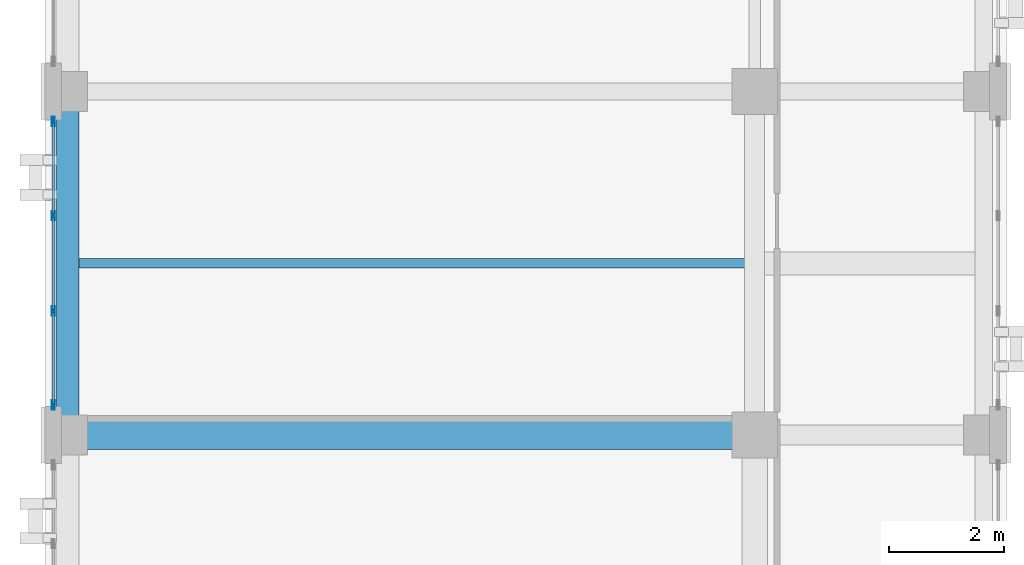
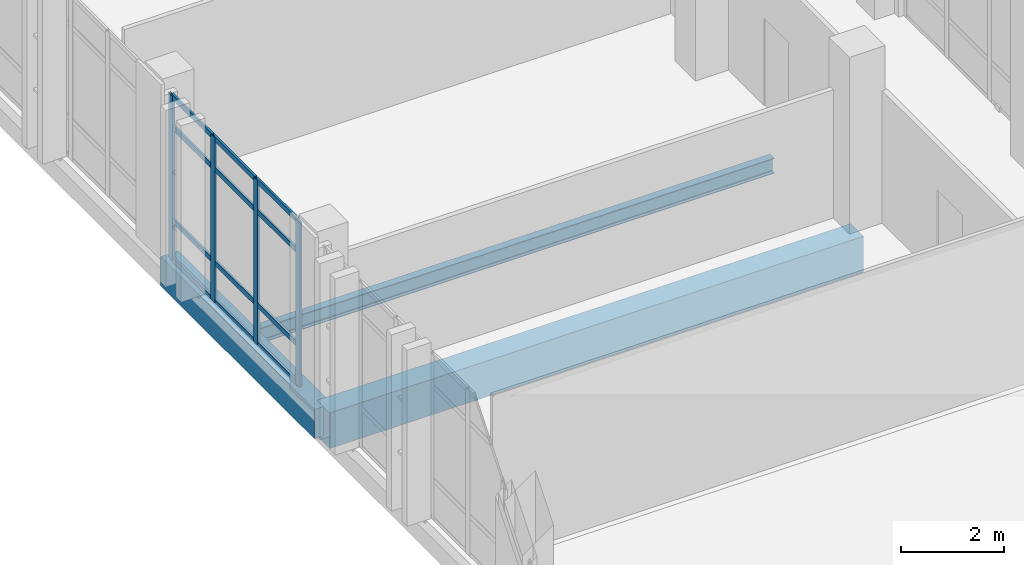
# One storey, part 68 of 165: 16 members, 3 beams, 1 element without a shape of its own.
"""IFC4 building model written with IfcOpenShell, lengths in metres."""

from ifc_helpers import new_model, si_unit, direction, frame, origin, origin_2d, place, context, subcontext, project, spatial, rectangle, hollow_rectangle, i_section, extrude, material, layer, layer_set, material_profile, profile_set, type_object, element, aggregate, save


model = new_model("IFC4")

# Units and contexts
model_context = context("Model", 3, precision=1e-05, world=origin(), true_north=direction((0.0, 1.0)))
body_context = subcontext(model_context, "Body", "Model", "MODEL_VIEW")
ifc_project = project(units=[si_unit("LENGTHUNIT", "METRE"), si_unit("AREAUNIT", "SQUARE_METRE"), si_unit("VOLUMEUNIT", "CUBIC_METRE"), si_unit("PLANEANGLEUNIT", "RADIAN"), si_unit("MASSUNIT", "GRAM", prefix="KILO")], contexts=[model_context])

# Site, building, storey
site_placement = place(None, origin())
site = spatial("IfcSite", under=ifc_project, at=site_placement, CompositionType="ELEMENT")
building_placement = place(site_placement, origin())
building = spatial("IfcBuilding", under=site, at=building_placement, Name="Qalavern Law Courts", CompositionType="ELEMENT")
storey_placement = place(building_placement, frame((0.0, 0.0, 14.39990234375)))
storey = spatial("IfcBuildingStorey", under=building, at=storey_placement, Name="L03", CompositionType="ELEMENT", Elevation=14.39990234375)

# Curtain wall, members
ifc_material_1 = material(Name="Anodised aluminium and insulated glazing", Category="aluminium")
ifc_layer = layer(ifc_material_1, 0.172119140625)
ifc_layer_set = layer_set([ifc_layer], Name="Anodised aluminium and insulated glazing")
curtain_wall_type = type_object("IfcCurtainWallType", Name="ENV-CW-COURT", PredefinedType="USERDEFINED", material=ifc_layer_set)
curtain_wall_placement = place(storey_placement, origin())
curtain_wall = element("IfcCurtainWall", 1, at=curtain_wall_placement, inside=storey, type_object=curtain_wall_type, Name="V3 unitised curtain wall L03 west 3", ObjectType="UNITISED CURTAIN WALL", PredefinedType="USERDEFINED")
ifc_material_2 = material(Name="Anodised aluminium", Category="aluminium")
ifc_material_profile_1 = material_profile(ifc_material_2, hollow_rectangle(XDim=0.048095703125, YDim=0.159912109375, WallThickness=0.00390625, at=origin_2d()), Name="ALU MULLION 48x160")
ifc_profile_set_1 = profile_set([ifc_material_profile_1], Name="Anodised aluminium")
member_type_1 = type_object("IfcMemberType", Name="ENV-CWM-48x160", PredefinedType="MULLION", material=ifc_profile_set_1)
member_1_placement = place(storey_placement, frame((2.1474609375, 78.8759765625, 0.0), z_axis=(0.0, 0.0, 1.0), x_axis=(1.0, 0.0, 0.0)))
member_1 = element("IfcMember", 2, at=member_1_placement, type_object=member_type_1, Name="CW-03 mullion 1", PredefinedType="MULLION", context=body_context, shape_type="SweptSolid", body=[
    extrude(hollow_rectangle(XDim=0.048095703125, YDim=0.159912109375, WallThickness=0.00390625, at=origin_2d()), origin(), (0.0, 0.0, 1.0), 3.920166015625),
])
member_2_placement = place(storey_placement, frame((2.1474609375, 77.2333984375, 0.0), z_axis=(0.0, 0.0, 1.0), x_axis=(1.0, 0.0, 0.0)))
member_2 = element("IfcMember", 3, at=member_2_placement, type_object=member_type_1, Name="CW-03 mullion 2", PredefinedType="MULLION", context=body_context, shape_type="SweptSolid", body=[
    extrude(hollow_rectangle(XDim=0.048095703125, YDim=0.159912109375, WallThickness=0.00390625, at=origin_2d()), origin(), (0.0, 0.0, 1.0), 3.920166015625),
])
member_3_placement = place(storey_placement, frame((2.1474609375, 75.566650390625, 0.0), z_axis=(0.0, 0.0, 1.0), x_axis=(1.0, 0.0, 0.0)))
member_3 = element("IfcMember", 4, at=member_3_placement, type_object=member_type_1, Name="CW-03 mullion 3", PredefinedType="MULLION", context=body_context, shape_type="SweptSolid", body=[
    extrude(hollow_rectangle(XDim=0.048095703125, YDim=0.159912109375, WallThickness=0.00390625, at=origin_2d()), origin(), (0.0, 0.0, 1.0), 3.920166015625),
])
member_4_placement = place(storey_placement, frame((2.1474609375, 73.924072265625, 0.0), z_axis=(0.0, 0.0, 1.0), x_axis=(1.0, 0.0, 0.0)))
member_4 = element("IfcMember", 5, at=member_4_placement, type_object=member_type_1, Name="CW-03 mullion 4", PredefinedType="MULLION", context=body_context, shape_type="SweptSolid", body=[
    extrude(hollow_rectangle(XDim=0.048095703125, YDim=0.159912109375, WallThickness=0.00390625, at=origin_2d()), origin(), (0.0, 0.0, 1.0), 3.920166015625),
])
ifc_material_profile_2 = material_profile(ifc_material_2, hollow_rectangle(XDim=0.048095703125, YDim=0.1201171875, WallThickness=0.00390625, at=origin_2d()), Name="ALU TRANSOM 48x120")
ifc_profile_set_2 = profile_set([ifc_material_profile_2], Name="Anodised aluminium")
member_type_2 = type_object("IfcMemberType", Name="ENV-CWT-48x120", PredefinedType="USERDEFINED", material=ifc_profile_set_2)
member_5_placement = place(storey_placement, frame((2.1474609375, 78.85205078125, 0.024169921875), z_axis=(0.0, -1.0, 0.0), x_axis=(1.0, 0.0, 0.0)))
member_5 = element("IfcMember", 6, at=member_5_placement, type_object=member_type_2, Name="CW-03 transom 1.1", ObjectType="TRANSOM", PredefinedType="USERDEFINED", context=body_context, shape_type="SweptSolid", body=[
    extrude(hollow_rectangle(XDim=0.048095703125, YDim=0.1201171875, WallThickness=0.00390625, at=origin_2d()), origin(), (0.0, 0.0, 1.0), 1.5947265625),
])
member_6_placement = place(storey_placement, frame((2.1474609375, 78.85205078125, 0.9501953125), z_axis=(0.0, -1.0, 0.0), x_axis=(1.0, 0.0, 0.0)))
member_6 = element("IfcMember", 7, at=member_6_placement, type_object=member_type_2, Name="CW-03 transom 1.2", ObjectType="TRANSOM", PredefinedType="USERDEFINED", context=body_context, shape_type="SweptSolid", body=[
    extrude(hollow_rectangle(XDim=0.048095703125, YDim=0.1201171875, WallThickness=0.00390625, at=origin_2d()), origin(), (0.0, 0.0, 1.0), 1.5947265625),
])
member_7_placement = place(storey_placement, frame((2.1474609375, 78.85205078125, 3.170166015625), z_axis=(0.0, -1.0, 0.0), x_axis=(1.0, 0.0, 0.0)))
member_7 = element("IfcMember", 8, at=member_7_placement, type_object=member_type_2, Name="CW-03 transom 1.3", ObjectType="TRANSOM", PredefinedType="USERDEFINED", context=body_context, shape_type="SweptSolid", body=[
    extrude(hollow_rectangle(XDim=0.048095703125, YDim=0.1201171875, WallThickness=0.00390625, at=origin_2d()), origin(), (0.0, 0.0, 1.0), 1.5947265625),
])
member_8_placement = place(storey_placement, frame((2.1474609375, 78.85205078125, 3.89599609375), z_axis=(0.0, -1.0, 0.0), x_axis=(1.0, 0.0, 0.0)))
member_8 = element("IfcMember", 9, at=member_8_placement, type_object=member_type_2, Name="CW-03 transom 1.4", ObjectType="TRANSOM", PredefinedType="USERDEFINED", context=body_context, shape_type="SweptSolid", body=[
    extrude(hollow_rectangle(XDim=0.048095703125, YDim=0.1201171875, WallThickness=0.00390625, at=origin_2d()), origin(), (0.0, 0.0, 1.0), 1.5947265625),
])
member_9_placement = place(storey_placement, frame((2.1474609375, 77.209228515625, 0.024169921875), z_axis=(0.0, -1.0, 0.0), x_axis=(1.0, 0.0, 0.0)))
member_9 = element("IfcMember", 10, at=member_9_placement, type_object=member_type_2, Name="CW-03 transom 2.1", ObjectType="TRANSOM", PredefinedType="USERDEFINED", context=body_context, shape_type="SweptSolid", body=[
    extrude(hollow_rectangle(XDim=0.048095703125, YDim=0.1201171875, WallThickness=0.00390625, at=origin_2d()), origin(), (0.0, 0.0, 1.0), 1.61865234375),
])
member_10_placement = place(storey_placement, frame((2.1474609375, 77.209228515625, 0.9501953125), z_axis=(0.0, -1.0, 0.0), x_axis=(1.0, 0.0, 0.0)))
member_10 = element("IfcMember", 11, at=member_10_placement, type_object=member_type_2, Name="CW-03 transom 2.2", ObjectType="TRANSOM", PredefinedType="USERDEFINED", context=body_context, shape_type="SweptSolid", body=[
    extrude(hollow_rectangle(XDim=0.048095703125, YDim=0.1201171875, WallThickness=0.00390625, at=origin_2d()), origin(), (0.0, 0.0, 1.0), 1.61865234375),
])
member_11_placement = place(storey_placement, frame((2.1474609375, 77.209228515625, 3.170166015625), z_axis=(0.0, -1.0, 0.0), x_axis=(1.0, 0.0, 0.0)))
member_11 = element("IfcMember", 12, at=member_11_placement, type_object=member_type_2, Name="CW-03 transom 2.3", ObjectType="TRANSOM", PredefinedType="USERDEFINED", context=body_context, shape_type="SweptSolid", body=[
    extrude(hollow_rectangle(XDim=0.048095703125, YDim=0.1201171875, WallThickness=0.00390625, at=origin_2d()), origin(), (0.0, 0.0, 1.0), 1.61865234375),
])
member_12_placement = place(storey_placement, frame((2.1474609375, 77.209228515625, 3.89599609375), z_axis=(0.0, -1.0, 0.0), x_axis=(1.0, 0.0, 0.0)))
member_12 = element("IfcMember", 13, at=member_12_placement, type_object=member_type_2, Name="CW-03 transom 2.4", ObjectType="TRANSOM", PredefinedType="USERDEFINED", context=body_context, shape_type="SweptSolid", body=[
    extrude(hollow_rectangle(XDim=0.048095703125, YDim=0.1201171875, WallThickness=0.00390625, at=origin_2d()), origin(), (0.0, 0.0, 1.0), 1.61865234375),
])
member_13_placement = place(storey_placement, frame((2.1474609375, 75.542724609375, 0.024169921875), z_axis=(0.0, -1.0, 0.0), x_axis=(1.0, 0.0, 0.0)))
member_13 = element("IfcMember", 14, at=member_13_placement, type_object=member_type_2, Name="CW-03 transom 3.1", ObjectType="TRANSOM", PredefinedType="USERDEFINED", context=body_context, shape_type="SweptSolid", body=[
    extrude(hollow_rectangle(XDim=0.048095703125, YDim=0.1201171875, WallThickness=0.00390625, at=origin_2d()), origin(), (0.0, 0.0, 1.0), 1.5947265625),
])
member_14_placement = place(storey_placement, frame((2.1474609375, 75.542724609375, 0.9501953125), z_axis=(0.0, -1.0, 0.0), x_axis=(1.0, 0.0, 0.0)))
member_14 = element("IfcMember", 15, at=member_14_placement, type_object=member_type_2, Name="CW-03 transom 3.2", ObjectType="TRANSOM", PredefinedType="USERDEFINED", context=body_context, shape_type="SweptSolid", body=[
    extrude(hollow_rectangle(XDim=0.048095703125, YDim=0.1201171875, WallThickness=0.00390625, at=origin_2d()), origin(), (0.0, 0.0, 1.0), 1.5947265625),
])
member_15_placement = place(storey_placement, frame((2.1474609375, 75.542724609375, 3.170166015625), z_axis=(0.0, -1.0, 0.0), x_axis=(1.0, 0.0, 0.0)))
member_15 = element("IfcMember", 16, at=member_15_placement, type_object=member_type_2, Name="CW-03 transom 3.3", ObjectType="TRANSOM", PredefinedType="USERDEFINED", context=body_context, shape_type="SweptSolid", body=[
    extrude(hollow_rectangle(XDim=0.048095703125, YDim=0.1201171875, WallThickness=0.00390625, at=origin_2d()), origin(), (0.0, 0.0, 1.0), 1.5947265625),
])
member_16_placement = place(storey_placement, frame((2.1474609375, 75.542724609375, 3.89599609375), z_axis=(0.0, -1.0, 0.0), x_axis=(1.0, 0.0, 0.0)))
member_16 = element("IfcMember", 17, at=member_16_placement, type_object=member_type_2, Name="CW-03 transom 3.4", ObjectType="TRANSOM", PredefinedType="USERDEFINED", context=body_context, shape_type="SweptSolid", body=[
    extrude(hollow_rectangle(XDim=0.048095703125, YDim=0.1201171875, WallThickness=0.00390625, at=origin_2d()), origin(), (0.0, 0.0, 1.0), 1.5947265625),
])
aggregate(curtain_wall, [member_1, member_2, member_3, member_4, member_5, member_6, member_7, member_8, member_9, member_10, member_11, member_12, member_13, member_14, member_15, member_16])

# Beams
ifc_material_3 = material(Name="Concrete C40/50", Category="concrete")
ifc_material_profile_3 = material_profile(ifc_material_3, rectangle(XDim=0.5, YDim=0.85009765625, at=origin_2d()), Name="RC 500x850")
ifc_profile_set_3 = profile_set([ifc_material_profile_3], Name="Concrete C40/50")
beam_type_1 = type_object("IfcBeamType", Name="STR-BM-RC500x850", PredefinedType="BEAM", material=ifc_profile_set_3)
beam_1_placement = place(storey_placement, frame((2.39990234375, 73.39990234375, -0.7099609375), z_axis=(1.0, 0.0, 0.0), x_axis=(0.0, 1.0, 0.0)))
element("IfcBeam", 18, at=beam_1_placement, inside=storey, type_object=beam_type_1, Name="V3 X-beam 5-1 L03", PredefinedType="BEAM", context=body_context, shape_type="SweptSolid", body=[
    extrude(rectangle(XDim=0.5, YDim=0.85009765625, at=origin_2d()), origin(), (0.0, 0.0, 1.0), 12.0),
])
ifc_material_4 = material(Name="Steel S355", Category="steel")
ifc_material_profile_4 = material_profile(ifc_material_4, i_section(OverallWidth=0.169921875, OverallDepth=0.360107421875, WebThickness=0.008056640625, FlangeThickness=0.0126953125, FilletRadius=0.01806640625, at=origin_2d()), Name="IPE 360")
ifc_profile_set_4 = profile_set([ifc_material_profile_4], Name="Steel S355")
beam_type_2 = type_object("IfcBeamType", Name="STR-JST-IPE360", PredefinedType="JOIST", material=ifc_profile_set_4)
beam_2_placement = place(storey_placement, frame((2.597900390625, 76.39990234375, -0.46484375), z_axis=(1.0, 0.0, 0.0), x_axis=(0.0, 1.0, 0.0)))
element("IfcBeam", 19, at=beam_2_placement, inside=storey, type_object=beam_type_2, Name="V3 secondary joist 1.5.1 L03", PredefinedType="JOIST", context=body_context, shape_type="SweptSolid", body=[
    extrude(i_section(OverallWidth=0.169921875, OverallDepth=0.360107421875, WebThickness=0.008056640625, FlangeThickness=0.0126953125, FilletRadius=0.01806640625, at=origin_2d()), origin(), (0.0, 0.0, 1.0), 11.629150390625),
])
ifc_material_profile_5 = material_profile(ifc_material_3, rectangle(XDim=0.39990234375, YDim=0.699951171875, at=origin_2d()), Name="RC 400x700")
ifc_profile_set_5 = profile_set([ifc_material_profile_5], Name="Concrete C40/50")
beam_type_3 = type_object("IfcBeamType", Name="STR-SP-RC400x700", PredefinedType="SPANDREL", material=ifc_profile_set_5)
beam_3_placement = place(storey_placement, frame((2.39990234375, 73.39990234375, -0.635009765625), z_axis=(0.0, 1.0, 0.0), x_axis=(-1.0, 0.0, 0.0)))
element("IfcBeam", 20, at=beam_3_placement, inside=storey, type_object=beam_type_3, Name="V3 Y-beam 1-5 L03", PredefinedType="SPANDREL", context=body_context, shape_type="SweptSolid", body=[
    extrude(rectangle(XDim=0.39990234375, YDim=0.699951171875, at=origin_2d()), origin(), (0.0, 0.0, 1.0), 6.0),
])

save(model, "model.ifc")
